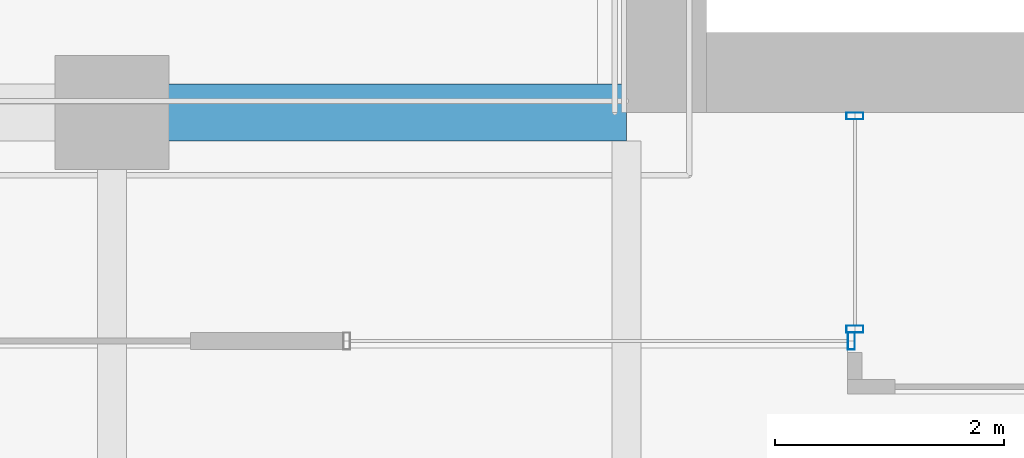
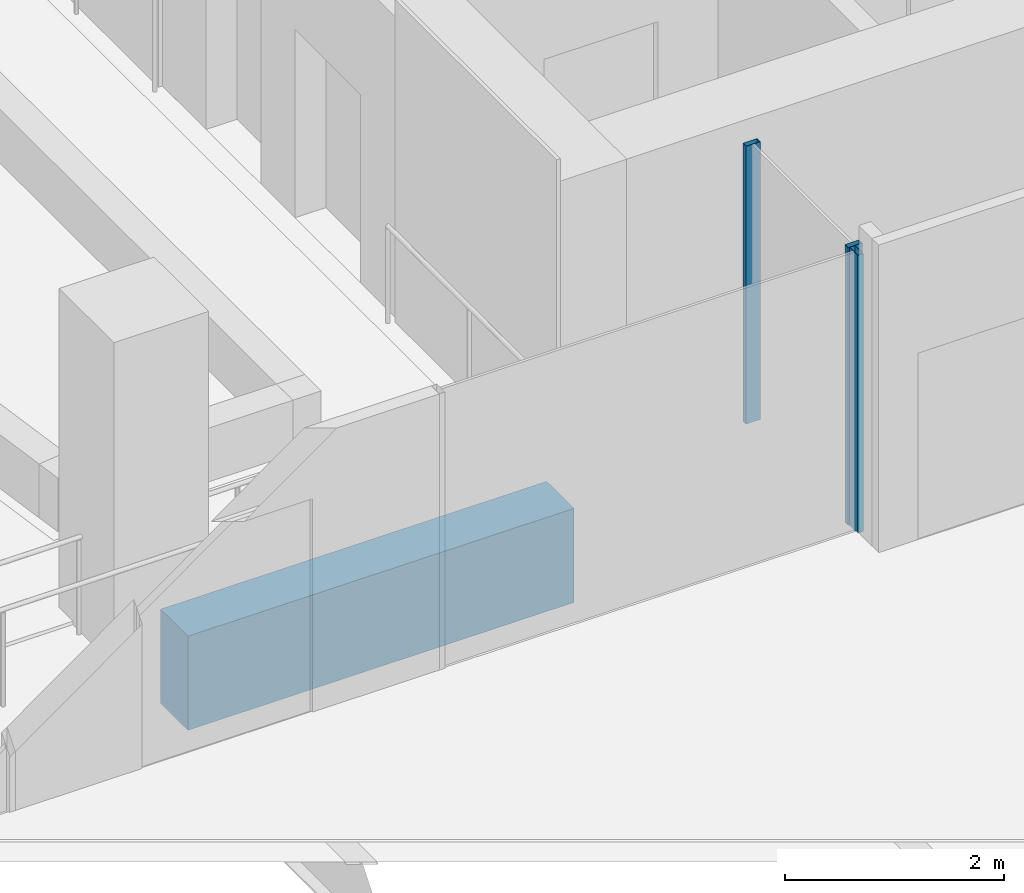
# One storey, part 6 of 52: 3 members, 1 beam, 2 elements without a shape of their own.
"""IFC4 building model written with IfcOpenShell, lengths in metres."""

from ifc_helpers import new_model, si_unit, direction, frame, origin, origin_2d, place, context, subcontext, project, spatial, rectangle, hollow_rectangle, extrude, material, material_profile, profile_set, type_object, element, aggregate, save


model = new_model("IFC4")

# Units and contexts
model_context = context("Model", 3, precision=1e-05, world=origin(), true_north=direction((0.0, 1.0)))
body_context = subcontext(model_context, "Body", "Model", "MODEL_VIEW")
ifc_project = project(units=[si_unit("LENGTHUNIT", "METRE"), si_unit("AREAUNIT", "SQUARE_METRE"), si_unit("VOLUMEUNIT", "CUBIC_METRE"), si_unit("PLANEANGLEUNIT", "RADIAN"), si_unit("MASSUNIT", "GRAM", prefix="KILO")], contexts=[model_context])

# Site, building, storey
site_placement = place(None, origin())
site = spatial("IfcSite", under=ifc_project, at=site_placement, CompositionType="ELEMENT")
building_placement = place(site_placement, origin())
building = spatial("IfcBuilding", under=site, at=building_placement, Name="Altepetl Exchange Towers", CompositionType="ELEMENT")
storey_placement = place(building_placement, frame((0.0, 0.0, 92.0)))
storey = spatial("IfcBuildingStorey", under=building, at=storey_placement, Name="L22", CompositionType="ELEMENT", Elevation=92.0)

# Curtain wall, members
ifc_material_1 = material(Name="Aluminium 6063-T6 glazing", Category="aluminium")
curtain_wall_type = type_object("IfcCurtainWallType", Name="Loggia glazing system", PredefinedType="NOTDEFINED", material=ifc_material_1)
curtain_wall_1_placement = place(storey_placement, origin())
curtain_wall_1 = element("IfcCurtainWall", 1, at=curtain_wall_1_placement, inside=storey, type_object=curtain_wall_type, Name="CW1 run", PredefinedType="NOTDEFINED")
ifc_material_2 = material(Name="Aluminium 6063-T6", Category="aluminium")
ifc_material_profile_1 = material_profile(ifc_material_2, hollow_rectangle(XDim=0.06005859375, YDim=0.14990234375, WallThickness=0.0029296875, at=origin_2d()), Name="Mullion 60x150 aluminium")
ifc_profile_set_1 = profile_set([ifc_material_profile_1], Name="Aluminium 6063-T6")
member_type = type_object("IfcMemberType", Name="Mullion 60x150 aluminium", PredefinedType="MULLION", material=ifc_profile_set_1)
member_1_placement = place(storey_placement, frame((42.5, 40.469970703125, 0.0), z_axis=(0.0, 0.0, 1.0), x_axis=(0.0, -1.0, 0.0)))
member_1 = element("IfcMember", 2, at=member_1_placement, type_object=member_type, Name="MU1 mullion", PredefinedType="MULLION", context=body_context, shape_type="SweptSolid", body=[
    extrude(hollow_rectangle(XDim=0.06005859375, YDim=0.14990234375, WallThickness=0.0029296875, at=origin_2d()), origin(), (0.0, 0.0, 1.0), 3.10009765625),
])
member_2_placement = place(storey_placement, frame((42.5, 38.60498046875, 0.0), z_axis=(0.0, 0.0, 1.0), x_axis=(0.0, -1.0, 0.0)))
member_2 = element("IfcMember", 3, at=member_2_placement, type_object=member_type, Name="MU1 mullion", PredefinedType="MULLION", context=body_context, shape_type="SweptSolid", body=[
    extrude(hollow_rectangle(XDim=0.06005859375, YDim=0.14990234375, WallThickness=0.0029296875, at=origin_2d()), origin(), (0.0, 0.0, 1.0), 3.10009765625),
])
aggregate(curtain_wall_1, [member_1, member_2])

# Curtain wall, member
curtain_wall_2_placement = place(storey_placement, origin())
curtain_wall_2 = element("IfcCurtainWall", 4, at=curtain_wall_2_placement, inside=storey, type_object=curtain_wall_type, Name="CW1 run", PredefinedType="NOTDEFINED")
member_3_placement = place(storey_placement, frame((42.469970703125, 38.5, 0.0), z_axis=(0.0, 0.0, 1.0), x_axis=(-1.0, 0.0, 0.0)))
member_3 = element("IfcMember", 5, at=member_3_placement, type_object=member_type, Name="MU1 mullion", PredefinedType="MULLION", context=body_context, shape_type="SweptSolid", body=[
    extrude(hollow_rectangle(XDim=0.06005859375, YDim=0.14990234375, WallThickness=0.0029296875, at=origin_2d()), origin(), (0.0, 0.0, 1.0), 3.10009765625),
])
aggregate(curtain_wall_2, [member_3])

# Beam
ifc_material_3 = material(Name="Concrete C50/60 precast with tezontle facing", Category="concrete")
ifc_material_profile_2 = material_profile(ifc_material_3, rectangle(XDim=0.5, YDim=1.050048828125, at=origin_2d()), Name="500 x 1050")
ifc_profile_set_2 = profile_set([ifc_material_profile_2], Name="Concrete C50/60 precast with tezontle facing")
beam_type = type_object("IfcBeamType", Name="Spandrel beam 500x1050 tezontle", PredefinedType="SPANDREL", material=ifc_profile_set_2)
beam_placement = place(storey_placement, frame((40.5, 40.5, -0.675048828125), z_axis=(-1.0, 0.0, 0.0), x_axis=(0.0, -1.0, 0.0)))
element("IfcBeam", 6, at=beam_placement, inside=storey, type_object=beam_type, Name="sp:A:L22:033", PredefinedType="SPANDREL", context=body_context, shape_type="SweptSolid", body=[
    extrude(rectangle(XDim=0.5, YDim=1.050048828125, at=origin_2d()), origin(), (0.0, 0.0, 1.0), 4.074951171875),
])

save(model, "model.ifc")
